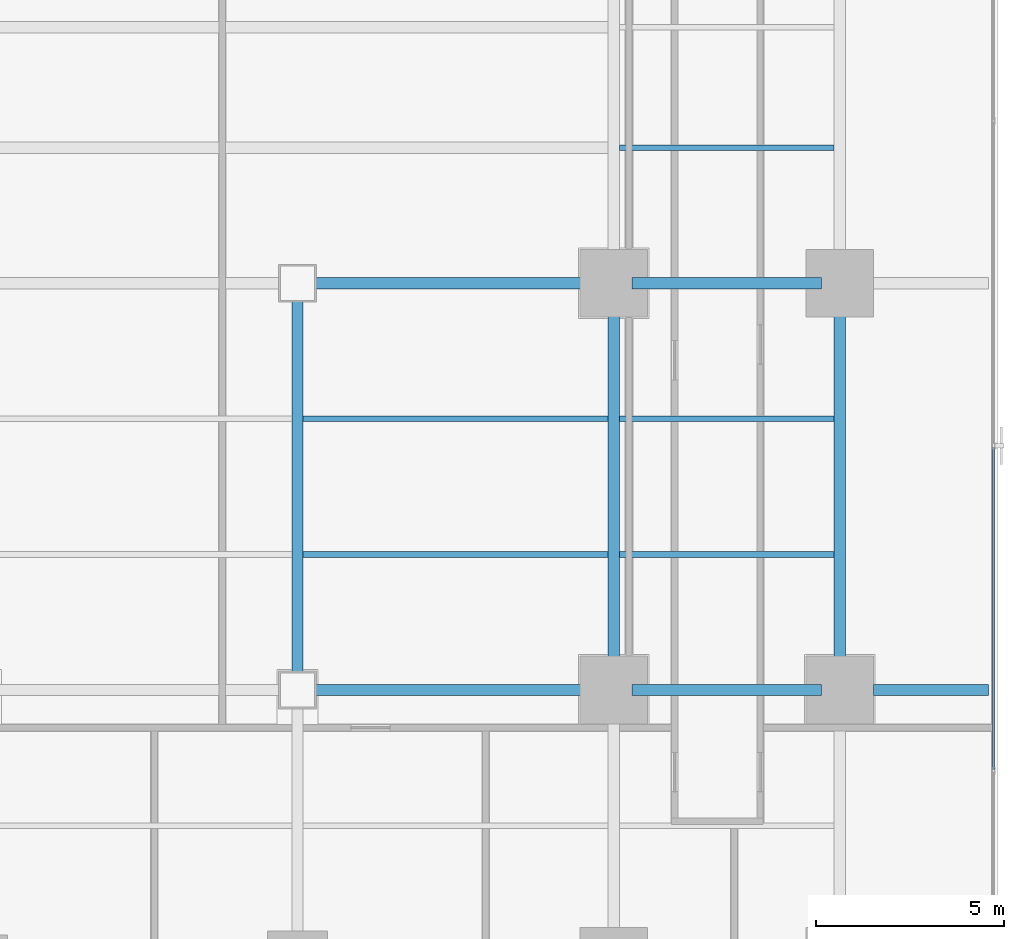
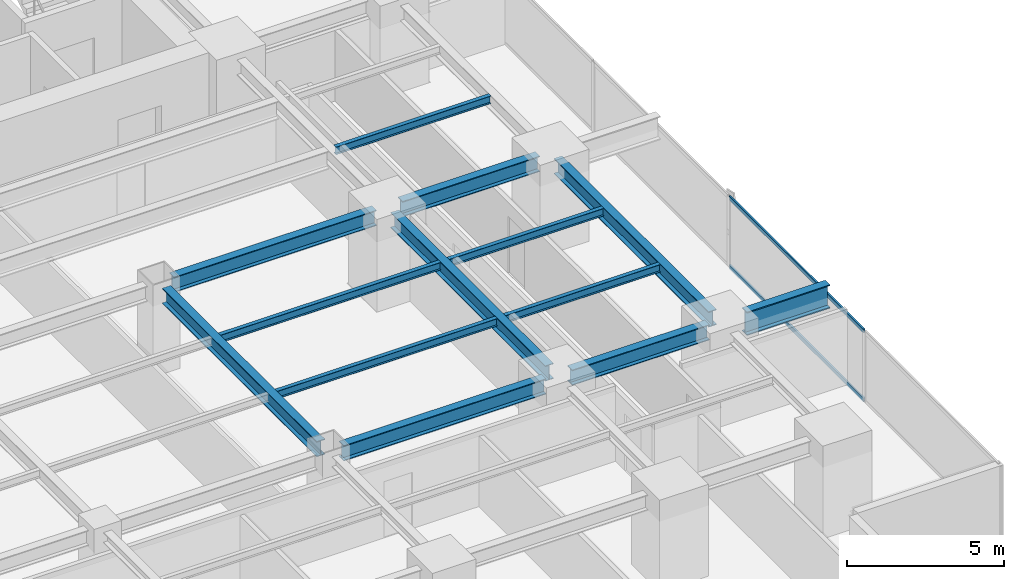
# One storey, part 14 of 34: 13 beams, 2 members, 1 element without a shape of its own.
"""IFC4 building model written with IfcOpenShell, lengths in metres."""

from ifc_helpers import new_model, si_unit, direction, frame, origin, origin_2d, place, context, subcontext, project, spatial, hollow_rectangle, i_section, extrude, source, transform, mapped, material, layer, layer_set, material_profile, profile_set, type_object, element, aggregate, save


model = new_model("IFC4")

# Units and contexts
model_context = context("Model", 3, precision=1e-05, world=origin(), true_north=direction((0.0, 1.0)))
body_context = subcontext(model_context, "Body", "Model", "MODEL_VIEW")
ifc_project = project(units=[si_unit("LENGTHUNIT", "METRE"), si_unit("AREAUNIT", "SQUARE_METRE"), si_unit("VOLUMEUNIT", "CUBIC_METRE"), si_unit("PLANEANGLEUNIT", "RADIAN"), si_unit("MASSUNIT", "GRAM", prefix="KILO")], contexts=[model_context])

# Site, building, storey
site_placement = place(None, origin())
site = spatial("IfcSite", under=ifc_project, at=site_placement, CompositionType="ELEMENT")
building_placement = place(site_placement, origin())
building = spatial("IfcBuilding", under=site, at=building_placement, Name="Sumidabori Civic Tower", CompositionType="ELEMENT")
storey_placement = place(building_placement, frame((0.0, 0.0, 56.0)))
storey = spatial("IfcBuildingStorey", under=building, at=storey_placement, Name="L14", CompositionType="ELEMENT", Elevation=56.0)

# Beams
ifc_material_1 = material(Name="Steel SN490", Category="steel")
ifc_material_profile_1 = material_profile(ifc_material_1, i_section(OverallWidth=0.300048828125, OverallDepth=0.60009765625, WebThickness=0.015380859375, FlangeThickness=0.030029296875, at=origin_2d()), Name="HE 600 B")
ifc_profile_set_1 = profile_set([ifc_material_profile_1], Name="Steel SN490")
beam_type_1 = type_object("IfcBeamType", Name="BM-GIRD-600", PredefinedType="BEAM", material=ifc_profile_set_1)
shared_shape_1 = source(origin(), body_context, "Body", "SweptSolid", [
    extrude(i_section(OverallWidth=0.300048828125, OverallDepth=0.60009765625, WebThickness=0.015380859375, FlangeThickness=0.030029296875, at=origin_2d()), origin(), (0.0, 0.0, 1.0), 5.0400390625),
])
for number, where, z_axis, x_axis, name in (
    (1, (17.280029296875, -10.800048828125, 3.06005859375), (1.0, 0.0, 0.0), (0.0, 1.0, 0.0), "Primary Girder L14 GX-12"),
    (2, (17.280029296875, 0.0, 3.06005859375), (1.0, 0.0, 0.0), (0.0, 1.0, 0.0), "Primary Girder L14 GX-18"),
):
    element("IfcBeam", number, at=place(storey_placement, frame(where, z_axis=z_axis, x_axis=x_axis)), inside=storey, type_object=beam_type_1, Name=name, PredefinedType="BEAM", context=body_context, shape_type="MappedRepresentation", body=[
        mapped(shared_shape_1, transform((0.0, 0.0, 0.0), x_axis=(1.0, 0.0, 0.0), y_axis=(0.0, 1.0, 0.0), z_axis=(0.0, 0.0, 1.0), scale=1.0)),
    ])
shared_shape_2 = source(origin(), body_context, "Body", "SweptSolid", [
    extrude(i_section(OverallWidth=0.300048828125, OverallDepth=0.60009765625, WebThickness=0.015380859375, FlangeThickness=0.030029296875, at=origin_2d()), origin(), (0.0, 0.0, 1.0), 7.440185546875),
])
for number, where, z_axis, x_axis, name in (
    (3, (8.8798828125, -10.800048828125, 3.06005859375), (1.0, 0.0, 0.0), (0.0, 1.0, 0.0), "Primary Girder L14 GX-11"),
    (4, (8.8798828125, 0.0, 3.06005859375), (1.0, 0.0, 0.0), (0.0, 1.0, 0.0), "Primary Girder L14 GX-17"),
):
    element("IfcBeam", number, at=place(storey_placement, frame(where, z_axis=z_axis, x_axis=x_axis)), inside=storey, type_object=beam_type_1, Name=name, PredefinedType="BEAM", context=body_context, shape_type="MappedRepresentation", body=[
        mapped(shared_shape_2, transform((0.0, 0.0, 0.0), x_axis=(1.0, 0.0, 0.0), y_axis=(0.0, 1.0, 0.0), z_axis=(0.0, 0.0, 1.0), scale=1.0)),
    ])
shared_shape_3 = source(origin(), body_context, "Body", "SweptSolid", [
    extrude(i_section(OverallWidth=0.300048828125, OverallDepth=0.60009765625, WebThickness=0.015380859375, FlangeThickness=0.030029296875, at=origin_2d()), origin(), (0.0, 0.0, 1.0), 9.840087890625),
])
for number, where, z_axis, x_axis, name in (
    (5, (8.39990234375, -10.320068359375, 3.06005859375), (0.0, 1.0, 0.0), (-1.0, 0.0, 0.0), "Primary Girder L14 GY-34"),
    (6, (16.800048828125, -10.320068359375, 3.06005859375), (0.0, 1.0, 0.0), (-1.0, 0.0, 0.0), "Primary Girder L14 GY-36"),
    (7, (22.800048828125, -10.320068359375, 3.06005859375), (0.0, 1.0, 0.0), (-1.0, 0.0, 0.0), "Primary Girder L14 GY-40"),
):
    element("IfcBeam", number, at=place(storey_placement, frame(where, z_axis=z_axis, x_axis=x_axis)), inside=storey, type_object=beam_type_1, Name=name, PredefinedType="BEAM", context=body_context, shape_type="MappedRepresentation", body=[
        mapped(shared_shape_3, transform((0.0, 0.0, 0.0), x_axis=(1.0, 0.0, 0.0), y_axis=(0.0, 1.0, 0.0), z_axis=(0.0, 0.0, 1.0), scale=1.0)),
    ])
ifc_material_profile_2 = material_profile(ifc_material_1, i_section(OverallWidth=0.302001953125, OverallDepth=0.909912109375, WebThickness=0.02099609375, FlangeThickness=0.0400390625, at=origin_2d()), Name="HE 900 M")
ifc_profile_set_2 = profile_set([ifc_material_profile_2], Name="Steel SN490")
beam_type_2 = type_object("IfcBeamType", Name="BM-Z1-EDGE", PredefinedType="SPANDREL", material=ifc_profile_set_2)
shared_shape_4 = source(origin(), body_context, "Body", "SweptSolid", [
    extrude(i_section(OverallWidth=0.302001953125, OverallDepth=0.909912109375, WebThickness=0.02099609375, FlangeThickness=0.0400390625, at=origin_2d()), origin(), (0.0, 0.0, 1.0), 3.050048828125),
])
beam_placement = place(storey_placement, frame((23.699951171875, -10.800048828125, 2.905029296875), z_axis=(1.0, 0.0, 0.0), x_axis=(0.0, 1.0, 0.0)))
element("IfcBeam", 8, at=beam_placement, inside=storey, type_object=beam_type_2, Name="Perimeter Overhang Beam L14 E-43", PredefinedType="SPANDREL", context=body_context, shape_type="MappedRepresentation", body=[
    mapped(shared_shape_4, transform((0.0, 0.0, 0.0), x_axis=(1.0, 0.0, 0.0), y_axis=(0.0, 1.0, 0.0), z_axis=(0.0, 0.0, 1.0), scale=1.0)),
])
ifc_material_profile_3 = material_profile(ifc_material_1, i_section(OverallWidth=0.14990234375, OverallDepth=0.300048828125, WebThickness=0.007080078125, FlangeThickness=0.0107421875, at=origin_2d()), Name="IPE 300")
ifc_profile_set_3 = profile_set([ifc_material_profile_3], Name="Steel SN490")
beam_type_3 = type_object("IfcBeamType", Name="BM-JST-300", PredefinedType="JOIST", material=ifc_profile_set_3)
shared_shape_5 = source(origin(), body_context, "Body", "SweptSolid", [
    extrude(i_section(OverallWidth=0.14990234375, OverallDepth=0.300048828125, WebThickness=0.007080078125, FlangeThickness=0.0107421875, at=origin_2d()), origin(), (0.0, 0.0, 1.0), 5.699951171875),
])
for number, where, z_axis, x_axis, name in (
    (9, (16.949951171875, -7.199951171875, 3.2099609375), (1.0, 0.0, 0.0), (0.0, 1.0, 0.0), "Outer Bay Floor Joist L14 JSTO-50"),
    (10, (16.949951171875, -3.60009765625, 3.2099609375), (1.0, 0.0, 0.0), (0.0, 1.0, 0.0), "Outer Bay Floor Joist L14 JSTO-52"),
    (11, (16.949951171875, 3.60009765625, 3.2099609375), (1.0, 0.0, 0.0), (0.0, 1.0, 0.0), "Outer Bay Floor Joist L14 JSTO-54"),
):
    element("IfcBeam", number, at=place(storey_placement, frame(where, z_axis=z_axis, x_axis=x_axis)), inside=storey, type_object=beam_type_3, Name=name, PredefinedType="JOIST", context=body_context, shape_type="MappedRepresentation", body=[
        mapped(shared_shape_5, transform((0.0, 0.0, 0.0), x_axis=(1.0, 0.0, 0.0), y_axis=(0.0, 1.0, 0.0), z_axis=(0.0, 0.0, 1.0), scale=1.0)),
    ])
shared_shape_6 = source(origin(), body_context, "Body", "SweptSolid", [
    extrude(i_section(OverallWidth=0.14990234375, OverallDepth=0.300048828125, WebThickness=0.007080078125, FlangeThickness=0.0107421875, at=origin_2d()), origin(), (0.0, 0.0, 1.0), 8.099853515625),
])
for number, where, z_axis, x_axis, name in (
    (12, (8.550048828125, -7.199951171875, 3.2099609375), (1.0, 0.0, 0.0), (0.0, 1.0, 0.0), "South Bay Floor Joist L14 JSTS-68"),
    (13, (8.550048828125, -3.60009765625, 3.2099609375), (1.0, 0.0, 0.0), (0.0, 1.0, 0.0), "South Bay Floor Joist L14 JSTS-72"),
):
    element("IfcBeam", number, at=place(storey_placement, frame(where, z_axis=z_axis, x_axis=x_axis)), inside=storey, type_object=beam_type_3, Name=name, PredefinedType="JOIST", context=body_context, shape_type="MappedRepresentation", body=[
        mapped(shared_shape_6, transform((0.0, 0.0, 0.0), x_axis=(1.0, 0.0, 0.0), y_axis=(0.0, 1.0, 0.0), z_axis=(0.0, 0.0, 1.0), scale=1.0)),
    ])

# Curtain wall, members
ifc_material_2 = material(Name="Anodised Bronze Aluminium AW-6063-T6", Category="aluminium")
ifc_layer = layer(ifc_material_2, 0.179931640625, Name="Anodised Bronze Aluminium AW-6063-T6")
ifc_layer_set = layer_set([ifc_layer], Name="Anodised Bronze Aluminium AW-6063-T6")
curtain_wall_type = type_object("IfcCurtainWallType", Name="CW-SYS-2", PredefinedType="NOTDEFINED", material=ifc_layer_set)
curtain_wall_placement = place(storey_placement, origin())
curtain_wall = element("IfcCurtainWall", 14, at=curtain_wall_placement, inside=storey, type_object=curtain_wall_type, Name="Curtain Wall CW:L14:R04", PredefinedType="NOTDEFINED")
ifc_material_profile_4 = material_profile(ifc_material_2, hollow_rectangle(XDim=0.06494140625, YDim=0.14990234375, WallThickness=0.0048828125, at=origin_2d()), Name="ALU TRANSOM 150x65")
ifc_profile_set_4 = profile_set([ifc_material_profile_4], Name="Anodised Bronze Aluminium AW-6063-T6")
member_type = type_object("IfcMemberType", Name="CW-TRN-150", PredefinedType="USERDEFINED", material=ifc_profile_set_4)
shared_shape_7 = source(origin(), body_context, "Body", "SweptSolid", [
    extrude(hollow_rectangle(XDim=0.06494140625, YDim=0.14990234375, WallThickness=0.0048828125, at=origin_2d()), origin(), (0.0, 0.0, 1.0), 8.557861328125),
])
member_1_placement = place(storey_placement, frame((26.8798828125, -12.906982421875, 0.032470703125), z_axis=(0.0, 1.0, 0.0), x_axis=(-1.0, 0.0, 0.0)))
member_1 = element("IfcMember", 15, at=member_1_placement, type_object=member_type, Name="CW-2 transom 2.1", ObjectType="TRANSOM", PredefinedType="USERDEFINED", context=body_context, shape_type="MappedRepresentation", body=[
    mapped(shared_shape_7, transform((0.0, 0.0, 0.0), x_axis=(1.0, 0.0, 0.0), y_axis=(0.0, 1.0, 0.0), z_axis=(0.0, 0.0, 1.0), scale=1.0)),
])
member_2_placement = place(storey_placement, frame((26.8798828125, -12.906982421875, 2.70751953125), z_axis=(0.0, 1.0, 0.0), x_axis=(-1.0, 0.0, 0.0)))
member_2 = element("IfcMember", 16, at=member_2_placement, type_object=member_type, Name="CW-2 transom 2.2", ObjectType="TRANSOM", PredefinedType="USERDEFINED", context=body_context, shape_type="MappedRepresentation", body=[
    mapped(shared_shape_7, transform((0.0, 0.0, 0.0), x_axis=(1.0, 0.0, 0.0), y_axis=(0.0, 1.0, 0.0), z_axis=(0.0, 0.0, 1.0), scale=1.0)),
])
aggregate(curtain_wall, [member_1, member_2])

save(model, "model.ifc")
